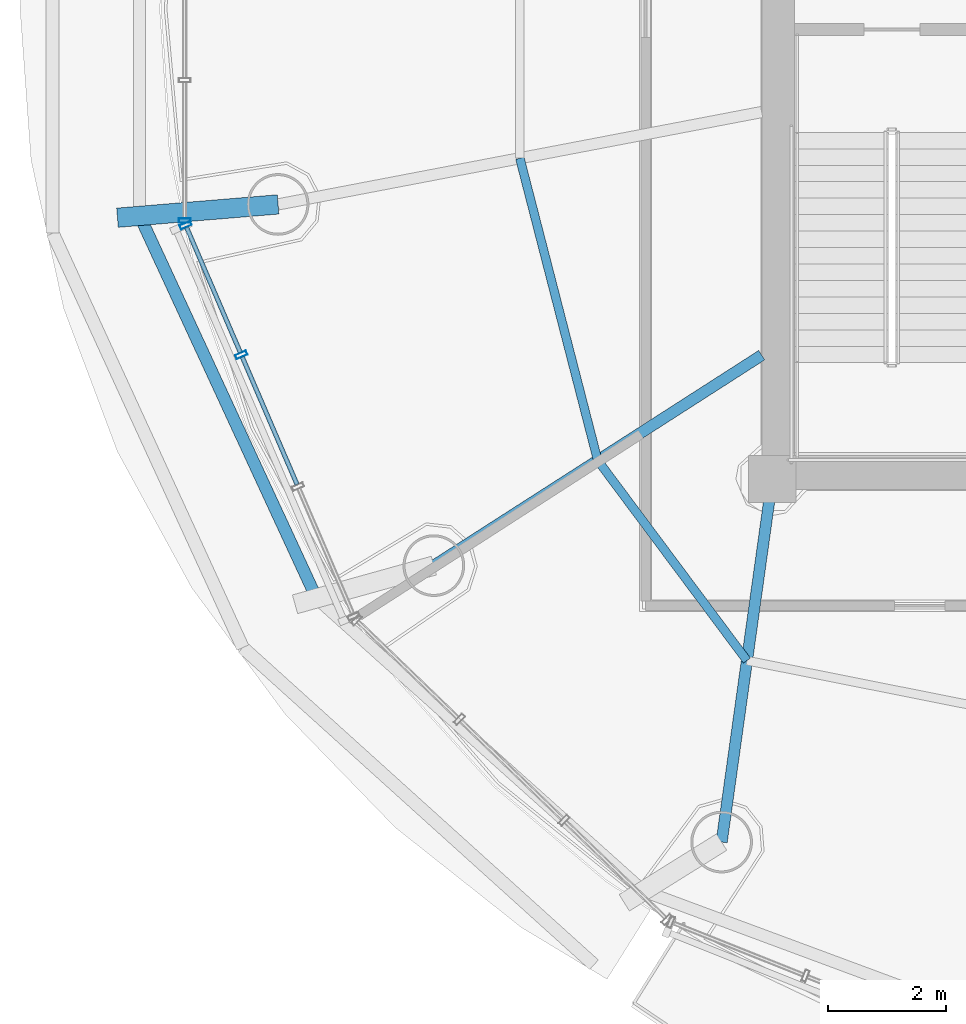
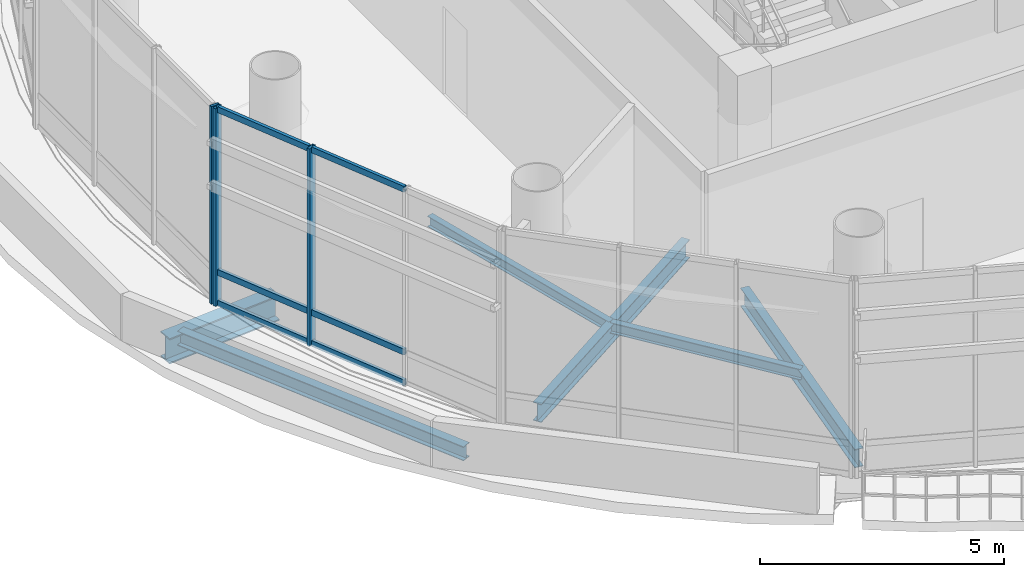
# One storey, part 3 of 22: 9 members, 6 beams, 2 elements without a shape of their own.
"""IFC4 building model written with IfcOpenShell, lengths in metres."""

from ifc_helpers import new_model, si_unit, direction, frame, origin, origin_2d, place, context, subcontext, project, spatial, hollow_rectangle, i_section, extrude, source, transform, mapped, material, material_profile, profile_set, type_object, element, aggregate, save


model = new_model("IFC4")

# Units and contexts
model_context = context("Model", 3, precision=1e-05, world=origin(), true_north=direction((-0.2419218956, 0.970295726276)))
body_context = subcontext(model_context, "Body", "Model", "MODEL_VIEW")
ifc_project = project(units=[si_unit("LENGTHUNIT", "METRE"), si_unit("AREAUNIT", "SQUARE_METRE"), si_unit("VOLUMEUNIT", "CUBIC_METRE"), si_unit("PLANEANGLEUNIT", "RADIAN"), si_unit("MASSUNIT", "GRAM", prefix="KILO")], contexts=[model_context])

# Site, building, storey
site_placement = place(None, origin())
site = spatial("IfcSite", under=ifc_project, at=site_placement, CompositionType="ELEMENT")
building_placement = place(site_placement, origin())
building = spatial("IfcBuilding", under=site, at=building_placement, Name="Cobrevalo Terracotta Tower", CompositionType="ELEMENT")
storey_placement = place(building_placement, frame((0.0, 0.0, 243.0)))
storey = spatial("IfcBuildingStorey", under=building, at=storey_placement, Name="L64", CompositionType="ELEMENT", Elevation=243.0)

# Beams
ifc_material_1 = material(Name="Steel S355", Category="steel")
ifc_material_profile_1 = material_profile(ifc_material_1, i_section(OverallWidth=0.19091796875, OverallDepth=0.4599609375, WebThickness=0.010009765625, FlangeThickness=0.01611328125, at=origin_2d()), Name="W 460x82")
ifc_profile_set_1 = profile_set([ifc_material_profile_1], Name="Steel S355")
beam_type_1 = type_object("IfcBeamType", Name="Structural Beam W 460x82 (Steel S355)", PredefinedType="BEAM", material=ifc_profile_set_1)
beam_1_placement = place(storey_placement, frame((23.241455078125, 17.32763671875, -0.679931640625), z_axis=(0.841585105238, 0.54012453253, 0.0), x_axis=(-0.54012453253, 0.841585105238, 0.0)))
element("IfcBeam", 1, at=beam_1_placement, inside=storey, type_object=beam_type_1, Name="L64 radial floor girder 10", PredefinedType="BEAM", context=body_context, shape_type="SweptSolid", body=[
    extrude(i_section(OverallWidth=0.19091796875, OverallDepth=0.4599609375, WebThickness=0.010009765625, FlangeThickness=0.01611328125, at=origin_2d()), origin(), (0.0, 0.0, 1.0), 6.628662109375),
])
beam_2_placement = place(storey_placement, frame((28.138671875, 12.62353515625, -0.679931640625), z_axis=(0.138115657759, 0.990416107039, 0.0), x_axis=(-0.990416107039, 0.138115657759, 0.0)))
element("IfcBeam", 2, at=beam_2_placement, inside=storey, type_object=beam_type_1, Name="L64 radial floor girder 11", PredefinedType="BEAM", context=body_context, shape_type="SweptSolid", body=[
    extrude(i_section(OverallWidth=0.19091796875, OverallDepth=0.4599609375, WebThickness=0.010009765625, FlangeThickness=0.01611328125, at=origin_2d()), origin(), (0.0, 0.0, 1.0), 6.236328125),
])
ifc_material_profile_2 = material_profile(ifc_material_1, i_section(OverallWidth=0.3291015625, OverallDepth=0.635009765625, WebThickness=0.017822265625, FlangeThickness=0.031005859375, at=origin_2d()), Name="W 610x241")
ifc_profile_set_2 = profile_set([ifc_material_profile_2], Name="Steel S355")
beam_type_2 = type_object("IfcBeamType", Name="Structural Beam W 610x241 (Steel S355)", PredefinedType="BEAM", material=ifc_profile_set_2)
beam_3_placement = place(storey_placement, frame((17.8583984375, 23.247314453125, -0.767578125), z_axis=(0.996587997744, 0.082537038677, 0.0), x_axis=(-0.082537038677, 0.996587997744, 0.0)))
element("IfcBeam", 3, at=beam_3_placement, inside=storey, type_object=beam_type_2, Name="L64 setback step-link girder 09", PredefinedType="BEAM", context=body_context, shape_type="SweptSolid", body=[
    extrude(i_section(OverallWidth=0.3291015625, OverallDepth=0.635009765625, WebThickness=0.017822265625, FlangeThickness=0.031005859375, at=origin_2d()), origin(), (0.0, 0.0, 1.0), 2.741943359375),
])
ifc_material_profile_3 = material_profile(ifc_material_1, i_section(OverallWidth=0.14794921875, OverallDepth=0.26611328125, WebThickness=0.007568359375, FlangeThickness=0.012939453125, at=origin_2d()), Name="W 250x44.8")
ifc_profile_set_3 = profile_set([ifc_material_profile_3], Name="Steel S355")
beam_type_3 = type_object("IfcBeamType", Name="Structural Joist W 250x44.8 (Steel S355)", PredefinedType="JOIST", material=ifc_profile_set_3)
beam_4_placement = place(storey_placement, frame((24.70556640625, 24.259765625, -0.5830078125), z_axis=(0.249560968956, -0.968359087722, 0.0), x_axis=(0.968359087722, 0.249560968956, 0.0)))
element("IfcBeam", 4, at=beam_4_placement, inside=storey, type_object=beam_type_3, Name="L64 circumferential secondary floor joist 09", PredefinedType="JOIST", context=body_context, shape_type="SweptSolid", body=[
    extrude(i_section(OverallWidth=0.14794921875, OverallDepth=0.26611328125, WebThickness=0.007568359375, FlangeThickness=0.012939453125, at=origin_2d()), origin(), (0.0, 0.0, 1.0), 5.31005859375),
])
beam_5_placement = place(storey_placement, frame((26.03076171875, 19.11767578125, -0.5830078125), z_axis=(0.597597255521, -0.801796433139, 0.0), x_axis=(0.801796433139, 0.597597255521, 0.0)))
element("IfcBeam", 5, at=beam_5_placement, inside=storey, type_object=beam_type_3, Name="L64 circumferential secondary floor joist 10", PredefinedType="JOIST", context=body_context, shape_type="SweptSolid", body=[
    extrude(i_section(OverallWidth=0.14794921875, OverallDepth=0.26611328125, WebThickness=0.007568359375, FlangeThickness=0.012939453125, at=origin_2d()), origin(), (0.0, 0.0, 1.0), 4.248046875),
])
ifc_material_profile_4 = material_profile(ifc_material_1, i_section(OverallWidth=0.205078125, OverallDepth=0.35400390625, WebThickness=0.009521484375, FlangeThickness=0.016845703125, at=origin_2d()), Name="W 360x79")
ifc_profile_set_4 = profile_set([ifc_material_profile_4], Name="Steel S355")
beam_type_4 = type_object("IfcBeamType", Name="Structural Spandrel W 360x79 (Steel S355)", PredefinedType="SPANDREL", material=ifc_profile_set_4)
beam_6_placement = place(storey_placement, frame((18.237060546875, 23.278564453125, -0.626953125), z_axis=(0.419718939129, -0.90765412583, 0.0), x_axis=(0.90765412583, 0.419718939129, 0.0)))
element("IfcBeam", 6, at=beam_6_placement, inside=storey, type_object=beam_type_4, Name="L64 perimeter ring spandrel 09", PredefinedType="SPANDREL", context=body_context, shape_type="SweptSolid", body=[
    extrude(i_section(OverallWidth=0.205078125, OverallDepth=0.35400390625, WebThickness=0.009521484375, FlangeThickness=0.016845703125, at=origin_2d()), origin(), (0.0, 0.0, 1.0), 7.168701171875),
])

# Curtain wall, member
ifc_material_2 = material(Name="Anodized aluminium", Category="aluminium")
curtain_wall_type = type_object("IfcCurtainWallType", Name="Double-height sky-lobby panoramic curtain wall CW-SK", PredefinedType="NOTDEFINED", material=ifc_material_2)
curtain_wall_1_placement = place(storey_placement, origin())
curtain_wall_1 = element("IfcCurtainWall", 7, at=curtain_wall_1_placement, inside=storey, type_object=curtain_wall_type, Name="L64 curtain wall CW-SK-L64-S08", PredefinedType="NOTDEFINED")
ifc_material_profile_5 = material_profile(ifc_material_2, hollow_rectangle(XDim=0.074951171875, YDim=0.199951171875, WallThickness=0.0048828125, at=origin_2d()), Name="CWM 75x200")
ifc_profile_set_5 = profile_set([ifc_material_profile_5], Name="Anodized aluminium")
member_type_1 = type_object("IfcMemberType", Name="Lower/mid tower unitised mullion 75x200", PredefinedType="MULLION", material=ifc_profile_set_5)
shared_shape_1 = source(origin(), body_context, "Body", "SweptSolid", [
    extrude(hollow_rectangle(XDim=0.074951171875, YDim=0.199951171875, WallThickness=0.0048828125, at=origin_2d()), origin(), (0.0, 0.0, 1.0), 4.93994140625),
])
member_1_placement = place(storey_placement, frame((19.002197265625, 23.19775390625, 0.0), z_axis=(0.0, 0.0, 1.0), x_axis=(0.0, -1.0, 0.0)))
member_1 = element("IfcMember", 8, at=member_1_placement, type_object=member_type_1, Name="CW-SK-L64-S08 vertical mullion 04", PredefinedType="MULLION", context=body_context, shape_type="MappedRepresentation", body=[
    mapped(shared_shape_1, transform((0.0, 0.0, 0.0), scale=1.0)),
])
aggregate(curtain_wall_1, [member_1])

# Curtain wall, members
curtain_wall_2_placement = place(storey_placement, origin())
curtain_wall_2 = element("IfcCurtainWall", 9, at=curtain_wall_2_placement, inside=storey, type_object=curtain_wall_type, Name="L64 curtain wall CW-SK-L64-S09", PredefinedType="NOTDEFINED")
member_2_placement = place(storey_placement, frame((19.01806640625, 23.120849609375, 0.0), z_axis=(0.0, 0.0, 1.0), x_axis=(0.39482403454, -0.91875675875, 0.0)))
member_2 = element("IfcMember", 10, at=member_2_placement, type_object=member_type_1, Name="CW-SK-L64-S09 vertical mullion 01", PredefinedType="MULLION", context=body_context, shape_type="MappedRepresentation", body=[
    mapped(shared_shape_1, transform((0.0, 0.0, 0.0), scale=1.0)),
])
member_3_placement = place(storey_placement, frame((19.96630859375, 20.914306640625, 0.0), z_axis=(0.0, 0.0, 1.0), x_axis=(0.39482403454, -0.91875675875, 0.0)))
member_3 = element("IfcMember", 11, at=member_3_placement, type_object=member_type_1, Name="CW-SK-L64-S09 vertical mullion 02", PredefinedType="MULLION", context=body_context, shape_type="MappedRepresentation", body=[
    mapped(shared_shape_1, transform((0.0, 0.0, 0.0), scale=1.0)),
])
ifc_material_profile_6 = material_profile(ifc_material_2, hollow_rectangle(XDim=0.074951171875, YDim=0.14990234375, WallThickness=0.00439453125, at=origin_2d()), Name="CWT 75x150")
ifc_profile_set_6 = profile_set([ifc_material_profile_6], Name="Anodized aluminium")
member_type_2 = type_object("IfcMemberType", Name="Tower unitised aluminium transom 75x150", PredefinedType="USERDEFINED", material=ifc_profile_set_6)
shared_shape_2 = source(origin(), body_context, "Body", "SweptSolid", [
    extrude(hollow_rectangle(XDim=0.074951171875, YDim=0.14990234375, WallThickness=0.00439453125, at=origin_2d()), origin(), (0.0, 0.0, 1.0), 2.36181640625),
])
member_4_placement = place(storey_placement, frame((19.982177734375, 20.87744140625, 0.050048828125), z_axis=(0.394779970074, -0.918775693642, 0.0), x_axis=(0.918775693642, 0.394779970074, 0.0)))
member_4 = element("IfcMember", 12, at=member_4_placement, type_object=member_type_2, Name="CW-SK-L64-S09 transom B02-T1", ObjectType="TRANSOM", PredefinedType="USERDEFINED", context=body_context, shape_type="MappedRepresentation", body=[
    mapped(shared_shape_2, transform((0.0, 0.0, 0.0), scale=1.0)),
])
member_5_placement = place(storey_placement, frame((19.982177734375, 20.87744140625, 0.820068359375), z_axis=(0.394779970074, -0.918775693642, 0.0), x_axis=(0.918775693642, 0.394779970074, 0.0)))
member_5 = element("IfcMember", 13, at=member_5_placement, type_object=member_type_2, Name="CW-SK-L64-S09 transom B02-T2", ObjectType="TRANSOM", PredefinedType="USERDEFINED", context=body_context, shape_type="MappedRepresentation", body=[
    mapped(shared_shape_2, transform((0.0, 0.0, 0.0), scale=1.0)),
])
member_6_placement = place(storey_placement, frame((19.982177734375, 20.87744140625, 4.889892578125), z_axis=(0.394779970074, -0.918775693642, 0.0), x_axis=(0.918775693642, 0.394779970074, 0.0)))
member_6 = element("IfcMember", 14, at=member_6_placement, type_object=member_type_2, Name="CW-SK-L64-S09 transom B02-T3", ObjectType="TRANSOM", PredefinedType="USERDEFINED", context=body_context, shape_type="MappedRepresentation", body=[
    mapped(shared_shape_2, transform((0.0, 0.0, 0.0), scale=1.0)),
])
shared_shape_3 = source(origin(), body_context, "Body", "SweptSolid", [
    extrude(hollow_rectangle(XDim=0.074951171875, YDim=0.14990234375, WallThickness=0.00439453125, at=origin_2d()), origin(), (0.0, 0.0, 1.0), 2.322021484375),
])
member_7_placement = place(storey_placement, frame((19.03369140625, 23.084228515625, 0.050048828125), z_axis=(0.394820094619, -0.918758451872, 0.0), x_axis=(0.918758451872, 0.394820094619, 0.0)))
member_7 = element("IfcMember", 15, at=member_7_placement, type_object=member_type_2, Name="CW-SK-L64-S09 transom B01-T1", ObjectType="TRANSOM", PredefinedType="USERDEFINED", context=body_context, shape_type="MappedRepresentation", body=[
    mapped(shared_shape_3, transform((0.0, 0.0, 0.0), scale=1.0)),
])
member_8_placement = place(storey_placement, frame((19.03369140625, 23.084228515625, 0.820068359375), z_axis=(0.394820094619, -0.918758451872, 0.0), x_axis=(0.918758451872, 0.394820094619, 0.0)))
member_8 = element("IfcMember", 16, at=member_8_placement, type_object=member_type_2, Name="CW-SK-L64-S09 transom B01-T2", ObjectType="TRANSOM", PredefinedType="USERDEFINED", context=body_context, shape_type="MappedRepresentation", body=[
    mapped(shared_shape_3, transform((0.0, 0.0, 0.0), scale=1.0)),
])
member_9_placement = place(storey_placement, frame((19.03369140625, 23.084228515625, 4.889892578125), z_axis=(0.394820094619, -0.918758451872, 0.0), x_axis=(0.918758451872, 0.394820094619, 0.0)))
member_9 = element("IfcMember", 17, at=member_9_placement, type_object=member_type_2, Name="CW-SK-L64-S09 transom B01-T3", ObjectType="TRANSOM", PredefinedType="USERDEFINED", context=body_context, shape_type="MappedRepresentation", body=[
    mapped(shared_shape_3, transform((0.0, 0.0, 0.0), scale=1.0)),
])
aggregate(curtain_wall_2, [member_2, member_3, member_7, member_8, member_9, member_4, member_5, member_6])

save(model, "model.ifc")
